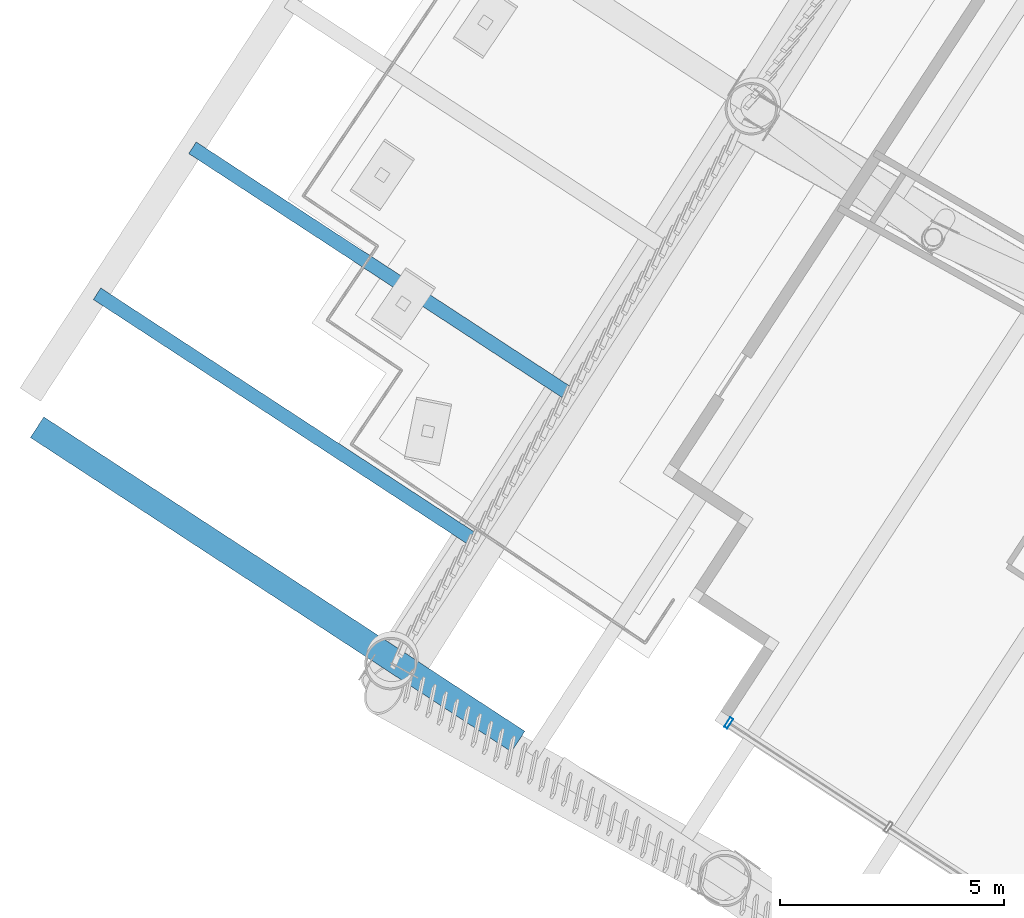
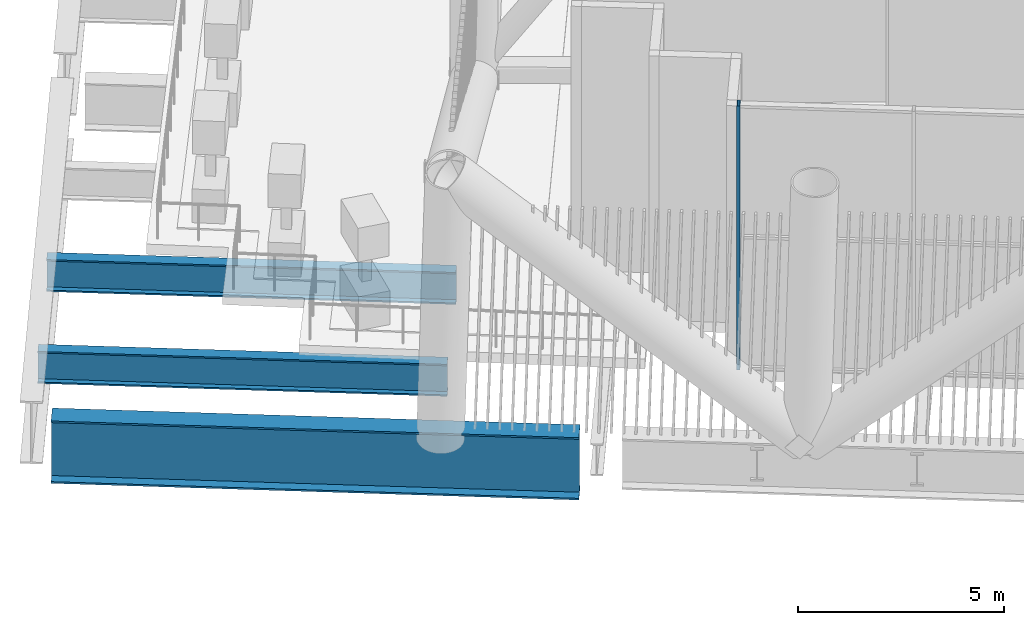
# One storey, part 24 of 63: 3 beams, 1 member, 1 element without a shape of its own.
"""IFC4 building model written with IfcOpenShell, lengths in metres."""

from ifc_helpers import new_model, si_unit, direction, frame, origin, origin_2d, place, context, subcontext, project, spatial, hollow_rectangle, i_section, extrude, material, layer, layer_set, material_profile, profile_set, type_object, element, aggregate, save


model = new_model("IFC4")

# Units and contexts
model_context = context("Model", 3, precision=1e-05, world=origin(), true_north=direction((0.0, 1.0)))
body_context = subcontext(model_context, "Body", "Model", "MODEL_VIEW")
ifc_project = project(units=[si_unit("LENGTHUNIT", "METRE"), si_unit("AREAUNIT", "SQUARE_METRE"), si_unit("VOLUMEUNIT", "CUBIC_METRE"), si_unit("PLANEANGLEUNIT", "RADIAN"), si_unit("MASSUNIT", "GRAM", prefix="KILO")], contexts=[model_context])

# Site, building, storey
site_placement = place(None, origin())
site = spatial("IfcSite", under=ifc_project, at=site_placement, CompositionType="ELEMENT")
building_placement = place(site_placement, origin())
building = spatial("IfcBuilding", under=site, at=building_placement, Name="Tarsis Ring Headquarters", CompositionType="ELEMENT")
storey_placement = place(building_placement, frame((0.0, 0.0, 139.60009765625)))
storey = spatial("IfcBuildingStorey", under=building, at=storey_placement, Name="L32", CompositionType="ELEMENT", Elevation=139.60009765625)

# Curtain wall, member
ifc_material_1 = material(Name="Aluminium curtain wall", Category="aluminium")
ifc_layer = layer(ifc_material_1, 0.25)
ifc_layer_set = layer_set([ifc_layer], Name="Curtain wall sky lobby")
curtain_wall_type = type_object("IfcCurtainWallType", Name="Curtain wall sky lobby", PredefinedType="NOTDEFINED", material=ifc_layer_set)
curtain_wall_placement = place(storey_placement, origin())
curtain_wall = element("IfcCurtainWall", 1, at=curtain_wall_placement, inside=storey, type_object=curtain_wall_type, Name="Curtain wall L32-01", PredefinedType="NOTDEFINED")
ifc_material_2 = material(Name="Aluminium mullion", Category="aluminium")
ifc_material_profile_1 = material_profile(ifc_material_2, hollow_rectangle(XDim=0.25, YDim=0.080078125, WallThickness=0.0048828125, at=origin_2d()), Name="RHS 250x80x5")
ifc_profile_set_1 = profile_set([ifc_material_profile_1], Name="Aluminium mullion")
member_type = type_object("IfcMemberType", Name="Curtain wall mullion sky lobby RHS 250x80x5", PredefinedType="MULLION", material=ifc_profile_set_1)
member_placement = place(storey_placement, frame((-36.389892578125, 9.591552734375, 0.0), z_axis=(0.0, 0.0, 1.0), x_axis=(0.546978993115, 0.837146331946, 0.0)))
member = element("IfcMember", 2, at=member_placement, type_object=member_type, Name="CW-S mullion 1", PredefinedType="MULLION", context=body_context, shape_type="SweptSolid", body=[
    extrude(hollow_rectangle(XDim=0.25, YDim=0.080078125, WallThickness=0.0048828125, at=origin_2d()), origin(), (0.0, 0.0, 1.0), 7.83984375),
])
aggregate(curtain_wall, [member])

# Beams
ifc_material_3 = material(Name="Structural steel S355", Category="steel")
ifc_material_profile_2 = material_profile(ifc_material_3, i_section(OverallWidth=0.309814453125, OverallDepth=0.949951171875, WebThickness=0.0244140625, FlangeThickness=0.0439453125, at=origin_2d()), Name="W36x256")
ifc_profile_set_2 = profile_set([ifc_material_profile_2], Name="Structural steel S355")
beam_type_1 = type_object("IfcBeamType", Name="TB Transfer beam W36x256", PredefinedType="BEAM", material=ifc_profile_set_2)
for number, where, z_axis, x_axis, name in (
    (3, (-40.036376953125, 17.0, -0.775146484375), (-0.837149455711, 0.546974212192, 0.0), (-0.546974212192, -0.837149455711, 0.0), "Transfer beam TB11"),
    (4, (-42.169677734375, 13.735107421875, -0.775146484375), (-0.837142129337, 0.546985425116, 0.0), (-0.546985425116, -0.837142129337, 0.0), "Transfer beam TB11"),
):
    element("IfcBeam", number, at=place(storey_placement, frame(where, z_axis=z_axis, x_axis=x_axis)), inside=storey, type_object=beam_type_1, Name=name, PredefinedType="BEAM", context=body_context, shape_type="SweptSolid", body=[
        extrude(i_section(OverallWidth=0.309814453125, OverallDepth=0.949951171875, WebThickness=0.0244140625, FlangeThickness=0.0439453125, at=origin_2d()), origin(), (0.0, 0.0, 1.0), 9.969970703125),
    ])
ifc_material_profile_3 = material_profile(ifc_material_3, i_section(OverallWidth=0.550048828125, OverallDepth=1.85009765625, WebThickness=0.030029296875, FlangeThickness=0.050048828125, at=origin_2d()), Name="PG 1850x550x30x50")
ifc_profile_set_3 = profile_set([ifc_material_profile_3], Name="Structural steel S355")
beam_type_2 = type_object("IfcBeamType", Name="XG Ring girder PG 1850x550x30x50", PredefinedType="BEAM", material=ifc_profile_set_3)
beam_placement = place(storey_placement, frame((-51.8564453125, 16.203125, -0.925048828125), z_axis=(0.837144277598, -0.546982137263, 0.0), x_axis=(0.546982137263, 0.837144277598, 0.0)))
element("IfcBeam", 5, at=beam_placement, inside=storey, type_object=beam_type_2, Name="Ring girder XG8", PredefinedType="BEAM", context=body_context, shape_type="SweptSolid", body=[
    extrude(i_section(OverallWidth=0.550048828125, OverallDepth=1.85009765625, WebThickness=0.030029296875, FlangeThickness=0.050048828125, at=origin_2d()), origin(), (0.0, 0.0, 1.0), 12.8505859375),
])

save(model, "model.ifc")
